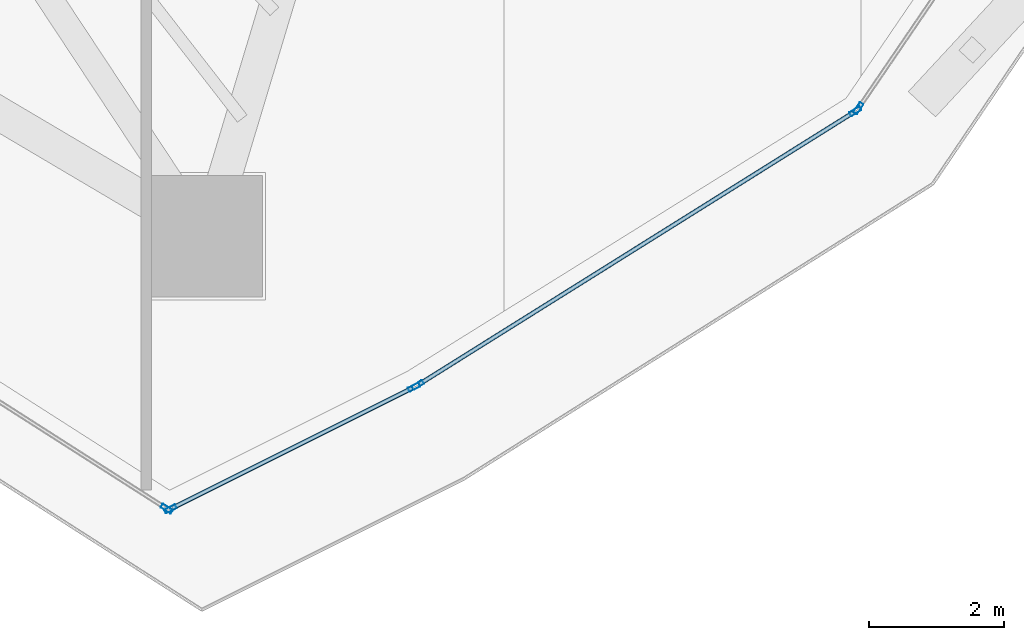
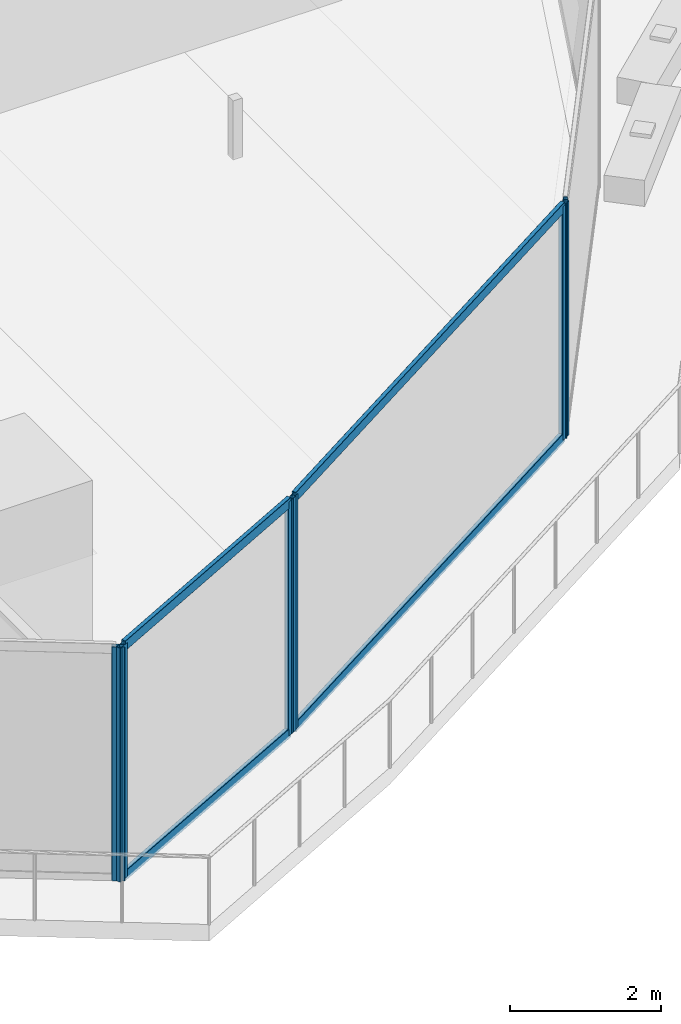
# One storey, part 9 of 36: 10 members, 4 elements without a shape of their own.
"""IFC4 building model written with IfcOpenShell, lengths in metres."""

from ifc_helpers import new_model, si_unit, direction, frame, origin, origin_2d, place, context, subcontext, project, spatial, hollow_rectangle, extrude, material, layer, layer_set, material_profile, profile_set, type_object, element, aggregate, save


model = new_model("IFC4")

# Units and contexts
model_context = context("Model", 3, precision=1e-05, world=origin(), true_north=direction((0.0, 1.0)))
body_context = subcontext(model_context, "Body", "Model", "MODEL_VIEW")
ifc_project = project(units=[si_unit("LENGTHUNIT", "METRE"), si_unit("AREAUNIT", "SQUARE_METRE"), si_unit("VOLUMEUNIT", "CUBIC_METRE"), si_unit("PLANEANGLEUNIT", "RADIAN"), si_unit("MASSUNIT", "GRAM", prefix="KILO")], contexts=[model_context])

# Site, building, storey
site_placement = place(None, origin())
site = spatial("IfcSite", under=ifc_project, at=site_placement, CompositionType="ELEMENT")
building_placement = place(site_placement, origin())
building = spatial("IfcBuilding", under=site, at=building_placement, Name="Qorvath Tower", CompositionType="ELEMENT")
storey_placement = place(building_placement, frame((0.0, 0.0, 241.5)))
storey = spatial("IfcBuildingStorey", under=building, at=storey_placement, Name="L56", CompositionType="ELEMENT", Elevation=241.5)

# Curtain wall, member
ifc_material_1 = material(Name="Anodised aluminium and triple low-E glass", Category="aluminium")
ifc_layer = layer(ifc_material_1, 0.179931640625)
ifc_layer_set = layer_set([ifc_layer], Name="CW-SYS-3")
curtain_wall_type = type_object("IfcCurtainWallType", Name="CW-SYS-3", PredefinedType="NOTDEFINED", material=ifc_layer_set)
curtain_wall_1_placement = place(storey_placement, origin())
curtain_wall_1 = element("IfcCurtainWall", 1, at=curtain_wall_1_placement, inside=storey, type_object=curtain_wall_type, Name="Curtain Wall CW-3 CW-T-L56-2.2", PredefinedType="NOTDEFINED")
ifc_material_2 = material(Name="Anodised aluminium 6063-T6", Category="aluminium")
ifc_material_profile_1 = material_profile(ifc_material_2, hollow_rectangle(XDim=0.06494140625, YDim=0.179931640625, WallThickness=0.00341796875, InnerFilletRadius=0.00341796875, OuterFilletRadius=0.007080078125, at=origin_2d()), Name="CWM 180x65")
ifc_profile_set_1 = profile_set([ifc_material_profile_1], Name="Anodised aluminium 6063-T6")
member_type_1 = type_object("IfcMemberType", Name="CWM-180", PredefinedType="MULLION", material=ifc_profile_set_1)
member_1_placement = place(storey_placement, frame((-17.466064453125, -25.666259765625, 0.0), z_axis=(0.0, 0.0, 1.0), x_axis=(0.538530320734, 0.84260613198, 0.0)))
member_1 = element("IfcMember", 2, at=member_1_placement, type_object=member_type_1, Name="CW-3 mullion 5", PredefinedType="MULLION", context=body_context, shape_type="SweptSolid", body=[
    extrude(hollow_rectangle(XDim=0.06494140625, YDim=0.179931640625, WallThickness=0.00341796875, InnerFilletRadius=0.00341796875, OuterFilletRadius=0.007080078125, at=origin_2d()), origin(), (0.0, 0.0, 1.0), 3.780029296875),
])
aggregate(curtain_wall_1, [member_1])

# Curtain wall, members
curtain_wall_2_placement = place(storey_placement, origin())
curtain_wall_2 = element("IfcCurtainWall", 3, at=curtain_wall_2_placement, inside=storey, type_object=curtain_wall_type, Name="Curtain Wall CW-3 CW-T-L56-3.1", PredefinedType="NOTDEFINED")
member_2_placement = place(storey_placement, frame((-17.40966796875, -25.669189453125, 0.0), z_axis=(0.0, 0.0, 1.0), x_axis=(-0.447174591616, 0.894446691879, 0.0)))
member_2 = element("IfcMember", 4, at=member_2_placement, type_object=member_type_1, Name="CW-3 mullion 1", PredefinedType="MULLION", context=body_context, shape_type="SweptSolid", body=[
    extrude(hollow_rectangle(XDim=0.06494140625, YDim=0.179931640625, WallThickness=0.00341796875, InnerFilletRadius=0.00341796875, OuterFilletRadius=0.007080078125, at=origin_2d()), origin(), (0.0, 0.0, 1.0), 3.780029296875),
])
member_3_placement = place(storey_placement, frame((-13.798583984375, -23.864013671875, 0.0), z_axis=(0.0, 0.0, 1.0), x_axis=(-0.447174591616, 0.894446691879, 0.0)))
member_3 = element("IfcMember", 5, at=member_3_placement, type_object=member_type_1, Name="CW-3 mullion 2", PredefinedType="MULLION", context=body_context, shape_type="SweptSolid", body=[
    extrude(hollow_rectangle(XDim=0.06494140625, YDim=0.179931640625, WallThickness=0.00341796875, InnerFilletRadius=0.00341796875, OuterFilletRadius=0.007080078125, at=origin_2d()), origin(), (0.0, 0.0, 1.0), 3.780029296875),
])

curtain_wall_3_placement = place(storey_placement, origin())
curtain_wall_3 = element("IfcCurtainWall", 6, at=curtain_wall_3_placement, inside=storey, type_object=curtain_wall_type, Name="Curtain Wall CW-3 CW-T-L56-4.1", PredefinedType="NOTDEFINED")
member_4_placement = place(storey_placement, frame((-13.741943359375, -23.832275390625, 0.0), z_axis=(0.0, 0.0, 1.0), x_axis=(-0.530487138359, 0.847692984538, 0.0)))
member_4 = element("IfcMember", 7, at=member_4_placement, type_object=member_type_1, Name="CW-3 mullion 1", PredefinedType="MULLION", context=body_context, shape_type="SweptSolid", body=[
    extrude(hollow_rectangle(XDim=0.06494140625, YDim=0.179931640625, WallThickness=0.00341796875, InnerFilletRadius=0.00341796875, OuterFilletRadius=0.007080078125, at=origin_2d()), origin(), (0.0, 0.0, 1.0), 3.780029296875),
])
member_5_placement = place(storey_placement, frame((-7.258544921875, -19.77490234375, 0.0), z_axis=(0.0, 0.0, 1.0), x_axis=(-0.530487138359, 0.847692984538, 0.0)))
member_5 = element("IfcMember", 8, at=member_5_placement, type_object=member_type_1, Name="CW-3 mullion 2", PredefinedType="MULLION", context=body_context, shape_type="SweptSolid", body=[
    extrude(hollow_rectangle(XDim=0.06494140625, YDim=0.179931640625, WallThickness=0.00341796875, InnerFilletRadius=0.00341796875, OuterFilletRadius=0.007080078125, at=origin_2d()), origin(), (0.0, 0.0, 1.0), 3.780029296875),
])

# Curtain wall, member
curtain_wall_4_placement = place(storey_placement, origin())
curtain_wall_4 = element("IfcCurtainWall", 9, at=curtain_wall_4_placement, inside=storey, type_object=curtain_wall_type, Name="Curtain Wall CW-3 CW-T-L56-5.1", PredefinedType="NOTDEFINED")
member_6_placement = place(storey_placement, frame((-7.212646484375, -19.730712890625, 0.0), z_axis=(0.0, 0.0, 1.0), x_axis=(-0.826431361544, 0.563037480685, 0.0)))
member_6 = element("IfcMember", 10, at=member_6_placement, type_object=member_type_1, Name="CW-3 mullion 1", PredefinedType="MULLION", context=body_context, shape_type="SweptSolid", body=[
    extrude(hollow_rectangle(XDim=0.06494140625, YDim=0.179931640625, WallThickness=0.00341796875, InnerFilletRadius=0.00341796875, OuterFilletRadius=0.007080078125, at=origin_2d()), origin(), (0.0, 0.0, 1.0), 3.780029296875),
])
aggregate(curtain_wall_4, [member_6])

# Member
ifc_material_3 = material(Name="Anodised aluminium 6063-T6", Category="aluminium")
ifc_material_profile_2 = material_profile(ifc_material_3, hollow_rectangle(XDim=0.06494140625, YDim=0.159912109375, WallThickness=0.00341796875, InnerFilletRadius=0.00341796875, OuterFilletRadius=0.007080078125, at=origin_2d()), Name="CWT 160x65")
ifc_profile_set_2 = profile_set([ifc_material_profile_2], Name="Anodised aluminium 6063-T6")
member_type_2 = type_object("IfcMemberType", Name="CWT-160", PredefinedType="USERDEFINED", material=ifc_profile_set_2)
member_7_placement = place(storey_placement, frame((-17.380615234375, -25.65478515625, 0.032470703125), z_axis=(0.894439482828, 0.447189010998, 0.0), x_axis=(-0.447189010998, 0.894439482828, 0.0)))
member_7 = element("IfcMember", 11, at=member_7_placement, type_object=member_type_2, Name="CW-3 transom 1.1", ObjectType="TRANSOM", PredefinedType="USERDEFINED", context=body_context, shape_type="SweptSolid", body=[
    extrude(hollow_rectangle(XDim=0.06494140625, YDim=0.159912109375, WallThickness=0.00341796875, InnerFilletRadius=0.00341796875, OuterFilletRadius=0.007080078125, at=origin_2d()), origin(), (0.0, 0.0, 1.0), 3.972412109375),
])

member_8_placement = place(storey_placement, frame((-17.380615234375, -25.65478515625, 3.74755859375), z_axis=(0.894439482828, 0.447189010998, 0.0), x_axis=(-0.447189010998, 0.894439482828, 0.0)))
member_8 = element("IfcMember", 12, at=member_8_placement, type_object=member_type_2, Name="CW-3 transom 1.2", ObjectType="TRANSOM", PredefinedType="USERDEFINED", context=body_context, shape_type="SweptSolid", body=[
    extrude(hollow_rectangle(XDim=0.06494140625, YDim=0.159912109375, WallThickness=0.00341796875, InnerFilletRadius=0.00341796875, OuterFilletRadius=0.007080078125, at=origin_2d()), origin(), (0.0, 0.0, 1.0), 3.972412109375),
])

aggregate(curtain_wall_2, [member_2, member_3, member_7, member_8])

member_9_placement = place(storey_placement, frame((-13.71435546875, -23.81494140625, 0.032470703125), z_axis=(0.847683443386, 0.530502384357, 0.0), x_axis=(-0.530502384357, 0.847683443386, 0.0)))
member_9 = element("IfcMember", 13, at=member_9_placement, type_object=member_type_2, Name="CW-3 transom 1.1", ObjectType="TRANSOM", PredefinedType="USERDEFINED", context=body_context, shape_type="SweptSolid", body=[
    extrude(hollow_rectangle(XDim=0.06494140625, YDim=0.159912109375, WallThickness=0.00341796875, InnerFilletRadius=0.00341796875, OuterFilletRadius=0.007080078125, at=origin_2d()), origin(), (0.0, 0.0, 1.0), 7.583251953125),
])

member_10_placement = place(storey_placement, frame((-13.71435546875, -23.81494140625, 3.74755859375), z_axis=(0.847683443386, 0.530502384357, 0.0), x_axis=(-0.530502384357, 0.847683443386, 0.0)))
member_10 = element("IfcMember", 14, at=member_10_placement, type_object=member_type_2, Name="CW-3 transom 1.2", ObjectType="TRANSOM", PredefinedType="USERDEFINED", context=body_context, shape_type="SweptSolid", body=[
    extrude(hollow_rectangle(XDim=0.06494140625, YDim=0.159912109375, WallThickness=0.00341796875, InnerFilletRadius=0.00341796875, OuterFilletRadius=0.007080078125, at=origin_2d()), origin(), (0.0, 0.0, 1.0), 7.583251953125),
])

aggregate(curtain_wall_3, [member_4, member_5, member_9, member_10])

save(model, "model.ifc")
